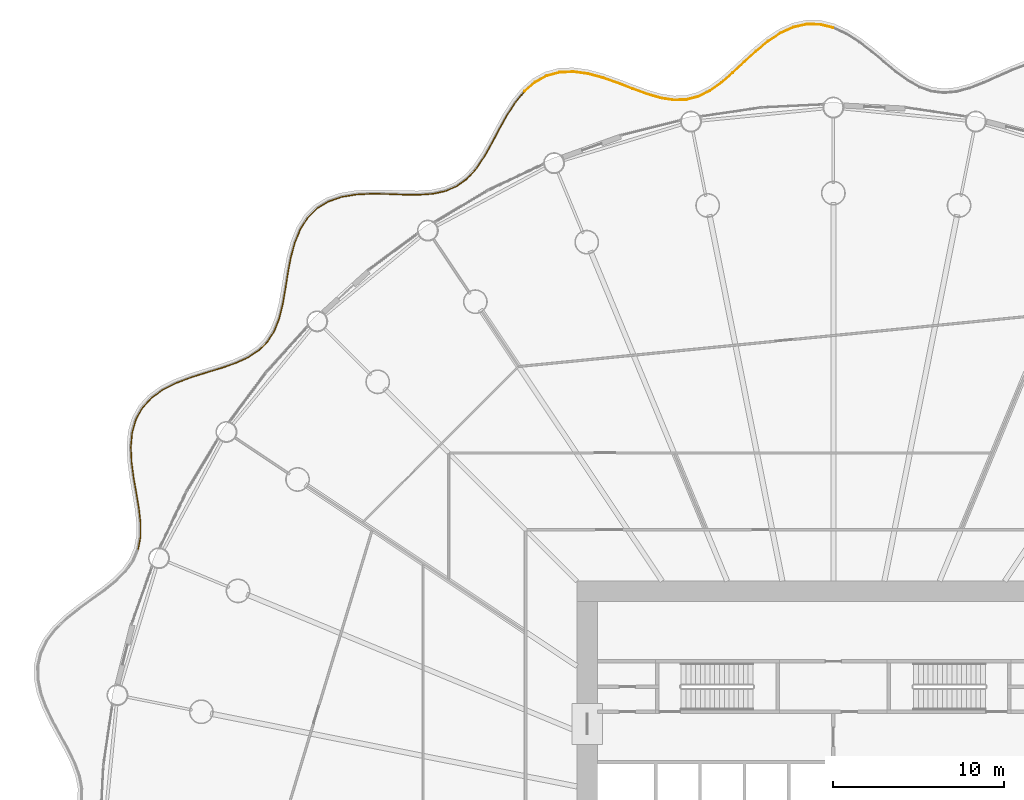
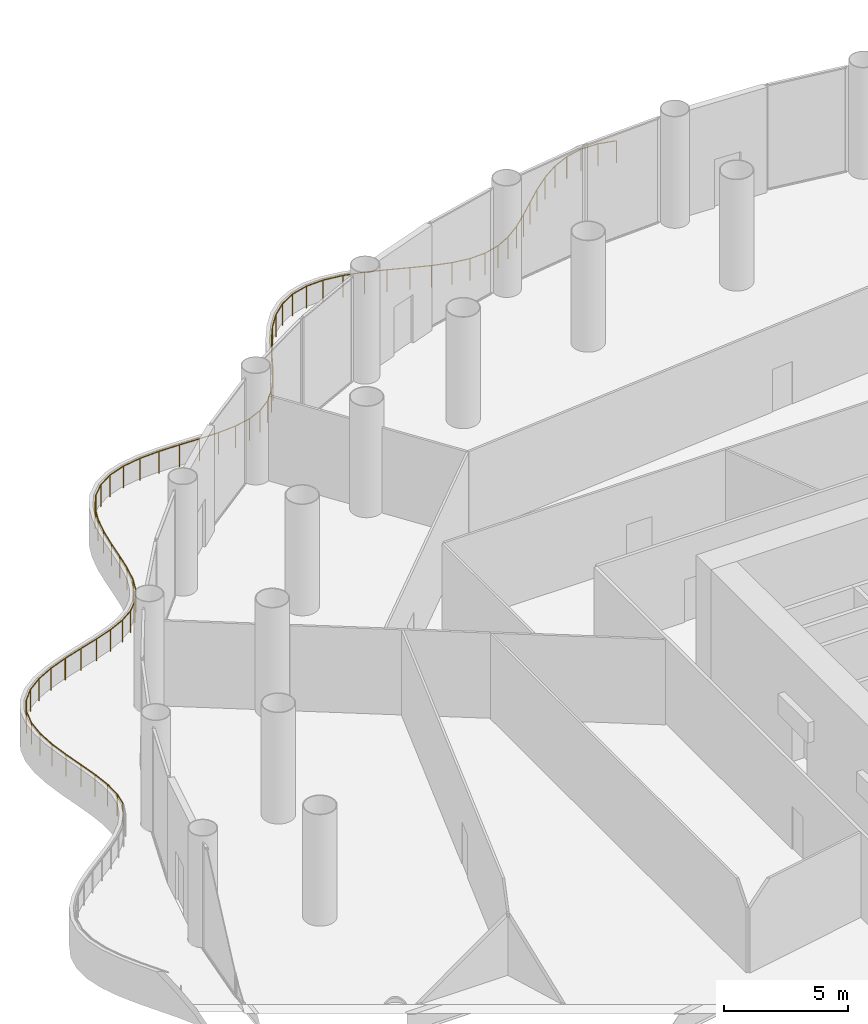
# One storey, part 36 of 37: 3 railings.
"""IFC4 building model written with IfcOpenShell, lengths in metres."""

from ifc_helpers import new_model, si_unit, direction, frame, origin, origin_2d, place, context, subcontext, project, spatial, circle, extrude, material, type_object, element, save


model = new_model("IFC4")

# Units and contexts
model_context = context("Model", 3, precision=1e-05, world=origin(), true_north=direction((0.0, 1.0)))
body_context = subcontext(model_context, "Body", "Model", "MODEL_VIEW")
ifc_project = project(units=[si_unit("LENGTHUNIT", "METRE"), si_unit("AREAUNIT", "SQUARE_METRE"), si_unit("VOLUMEUNIT", "CUBIC_METRE"), si_unit("PLANEANGLEUNIT", "RADIAN"), si_unit("MASSUNIT", "GRAM", prefix="KILO")], contexts=[model_context])

# Site, building, storey
site_placement = place(None, origin())
site = spatial("IfcSite", under=ifc_project, at=site_placement, CompositionType="ELEMENT")
building_placement = place(site_placement, origin())
building = spatial("IfcBuilding", under=site, at=building_placement, Name="Corvane Civic Tower", CompositionType="ELEMENT")
storey_placement = place(building_placement, frame((0.0, 0.0, 11.5)))
storey = spatial("IfcBuildingStorey", under=building, at=storey_placement, Name="L02", CompositionType="ELEMENT", Elevation=11.5)

# Railings
ifc_material = material(Name="Steel ASTM A572 Gr 50", Category="steel")
railing_type = type_object("IfcRailingType", Name="PODIUM-RL-GUARD-1100", PredefinedType="GUARDRAIL", material=ifc_material)
railing_1_placement = place(storey_placement, frame((-0.0244140625, 47.375, 0.0)))
element("IfcRailing", 1, at=railing_1_placement, inside=storey, type_object=railing_type, Name="L02 ribbon guard 1", PredefinedType="GUARDRAIL", context=body_context, shape_type="SweptSolid", body=[
    extrude(circle(Radius=0.02392578125, at=origin_2d()), frame((0.0, 0.0, 1.076171875), z_axis=(-0.970290184858, 0.241944119929, 0.0), x_axis=(-0.241944119929, -0.970290184858, 0.0)), (0.0, 0.0, 1.0), 0.777099609375),
    extrude(circle(Radius=0.02392578125, at=origin_2d()), frame((-0.75390625, 0.18798828125, 1.076171875), z_axis=(-0.999862095547, 0.016606922928, 0.0), x_axis=(-0.016606922928, -0.999862095547, 0.0)), (0.0, 0.0, 1.0), 0.779052734375),
    extrude(circle(Radius=0.02392578125, at=origin_2d()), frame((-1.532958984375, 0.200927734375, 1.076171875), z_axis=(-0.976136155054, -0.217159404115, 0.0), x_axis=(0.217159404115, -0.976136155054, 0.0)), (0.0, 0.0, 1.0), 0.790283203125),
    extrude(circle(Radius=0.02392578125, at=origin_2d()), frame((-2.304443359375, 0.029296875, 1.076171875), z_axis=(-0.91106055663, -0.412272558088, 0.0), x_axis=(0.412272558088, -0.91106055663, 0.0)), (0.0, 0.0, 1.0), 0.82958984375),
    extrude(circle(Radius=0.02392578125, at=origin_2d()), frame((-3.060302734375, -0.312744140625, 1.076171875), z_axis=(-0.835494240479, -0.549499203027, 0.0), x_axis=(0.549499203027, -0.835494240479, 0.0)), (0.0, 0.0, 1.0), 0.879150390625),
    extrude(circle(Radius=0.02392578125, at=origin_2d()), frame((-3.794921875, -0.7958984375, 1.076171875), z_axis=(-0.77324695858, -0.634104992132, 0.0), x_axis=(0.634104992132, -0.77324695858, 0.0)), (0.0, 0.0, 1.0), 0.91943359375),
    extrude(circle(Radius=0.02392578125, at=origin_2d()), frame((-4.505859375, -1.37890625, 1.076171875), z_axis=(-0.736503334058, -0.676433913195, 0.0), x_axis=(0.676433913195, -0.736503334058, 0.0)), (0.0, 0.0, 1.0), 0.934814453125),
    extrude(circle(Radius=0.02392578125, at=origin_2d()), frame((-5.1943359375, -2.01123046875, 1.076171875), z_axis=(-0.729578615129, -0.68389695448, 0.0), x_axis=(0.68389695448, -0.729578615129, 0.0)), (0.0, 0.0, 1.0), 0.919189453125),
    extrude(circle(Radius=0.02392578125, at=origin_2d()), frame((-5.864990234375, -2.639892578125, 1.076171875), z_axis=(-0.755937620753, -0.654643653853, 0.0), x_axis=(0.654643653853, -0.755937620753, 0.0)), (0.0, 0.0, 1.0), 0.875),
    extrude(circle(Radius=0.02392578125, at=origin_2d()), frame((-6.5263671875, -3.212646484375, 1.076171875), z_axis=(-0.814138797506, -0.580670318162, 0.0), x_axis=(0.580670318162, -0.814138797506, 0.0)), (0.0, 0.0, 1.0), 0.8134765625),
    extrude(circle(Radius=0.02392578125, at=origin_2d()), frame((-7.188720703125, -3.68505859375, 1.076171875), z_axis=(-0.894233059846, -0.447601647315, 0.0), x_axis=(0.447601647315, -0.894233059846, 0.0)), (0.0, 0.0, 1.0), 0.7548828125),
    extrude(circle(Radius=0.02392578125, at=origin_2d()), frame((-7.86376953125, -4.02294921875, 1.076171875), z_axis=(-0.967065779781, -0.254526575384, 0.0), x_axis=(0.254526575384, -0.967065779781, 0.0)), (0.0, 0.0, 1.0), 0.72216796875),
    extrude(circle(Radius=0.02392578125, at=origin_2d()), frame((-8.562255859375, -4.206787109375, 1.076171875), z_axis=(-0.999313461415, -0.037048695463, 0.0), x_axis=(0.037048695463, -0.999313461415, 0.0)), (0.0, 0.0, 1.0), 0.7314453125),
    extrude(circle(Radius=0.02392578125, at=origin_2d()), frame((-9.293212890625, -4.23388671875, 1.076171875), z_axis=(-0.988581250341, 0.150688790144, 0.0), x_axis=(-0.150688790144, -0.988581250341, 0.0)), (0.0, 0.0, 1.0), 0.777587890625),
    extrude(circle(Radius=0.02392578125, at=origin_2d()), frame((-10.06201171875, -4.11669921875, 1.076171875), z_axis=(-0.96089647184, 0.2769078735, 0.0), x_axis=(-0.2769078735, -0.96089647184, 0.0)), (0.0, 0.0, 1.0), 0.84033203125),
    extrude(circle(Radius=0.02392578125, at=origin_2d()), frame((-10.869384765625, -3.884033203125, 1.076171875), z_axis=(-0.939107851314, 0.343622530693, 0.0), x_axis=(-0.343622530693, -0.939107851314, 0.0)), (0.0, 0.0, 1.0), 0.896728515625),
    extrude(circle(Radius=0.02392578125, at=origin_2d()), frame((-11.71142578125, -3.575927734375, 1.076171875), z_axis=(-0.932864318384, 0.360227932683, 0.0), x_axis=(-0.360227932683, -0.932864318384, 0.0)), (0.0, 0.0, 1.0), 0.929931640625),
    extrude(circle(Radius=0.02392578125, at=origin_2d()), frame((-12.578857421875, -3.240966796875, 1.076171875), z_axis=(-0.943009681152, 0.332765294544, 0.0), x_axis=(-0.332765294544, -0.943009681152, 0.0)), (0.0, 0.0, 1.0), 0.931884765625),
    extrude(circle(Radius=0.02392578125, at=origin_2d()), frame((-13.45751953125, -2.930908203125, 1.076171875), z_axis=(-0.965587098839, 0.26007990033, 0.0), x_axis=(-0.26007990033, -0.965587098839, 0.0)), (0.0, 0.0, 1.0), 0.905029296875),
    extrude(circle(Radius=0.02392578125, at=origin_2d()), frame((-14.331298828125, -2.695556640625, 1.076171875), z_axis=(-0.990719089556, 0.135925294147, 0.0), x_axis=(-0.135925294147, -0.990719089556, 0.0)), (0.0, 0.0, 1.0), 0.858642578125),
    extrude(circle(Radius=0.02392578125, at=origin_2d()), frame((-15.181884765625, -2.578857421875, 1.076171875), z_axis=(-0.99909774518, -0.042469937314, 0.0), x_axis=(0.042469937314, -0.99909774518, 0.0)), (0.0, 0.0, 1.0), 0.810546875),
    extrude(circle(Radius=0.02392578125, at=origin_2d()), frame((-15.99169921875, -2.61328125, 1.076171875), z_axis=(-0.9652739935, -0.261239578688, 0.0), x_axis=(0.261239578688, -0.9652739935, 0.0)), (0.0, 0.0, 1.0), 0.78125),
    extrude(circle(Radius=0.02392578125, at=origin_2d()), frame((-16.745849609375, -2.8173828125, 1.076171875), z_axis=(-0.876871606406, -0.480724646632, 0.0), x_axis=(0.480724646632, -0.876871606406, 0.0)), (0.0, 0.0, 1.0), 0.78515625),
    extrude(circle(Radius=0.02392578125, at=origin_2d()), frame((-17.434326171875, -3.19482421875, 1.076171875), z_axis=(-0.754552606339, -0.656239563168, 0.0), x_axis=(0.656239563168, -0.754552606339, 0.0)), (0.0, 0.0, 1.0), 0.794677734375),
    extrude(circle(Radius=0.02099609375, at=origin_2d()), origin(), (0.0, 0.0, 1.0), 1.052001953125),
    extrude(circle(Radius=0.02099609375, at=origin_2d()), frame((-0.75390625, 0.18798828125, 0.0)), (0.0, 0.0, 1.0), 1.052001953125),
    extrude(circle(Radius=0.02099609375, at=origin_2d()), frame((-1.532958984375, 0.200927734375, 0.0)), (0.0, 0.0, 1.0), 1.052001953125),
    extrude(circle(Radius=0.02099609375, at=origin_2d()), frame((-2.304443359375, 0.029296875, 0.0)), (0.0, 0.0, 1.0), 1.052001953125),
    extrude(circle(Radius=0.02099609375, at=origin_2d()), frame((-3.060302734375, -0.312744140625, 0.0)), (0.0, 0.0, 1.0), 1.052001953125),
    extrude(circle(Radius=0.02099609375, at=origin_2d()), frame((-3.794921875, -0.7958984375, 0.0)), (0.0, 0.0, 1.0), 1.052001953125),
    extrude(circle(Radius=0.02099609375, at=origin_2d()), frame((-4.505859375, -1.37890625, 0.0)), (0.0, 0.0, 1.0), 1.052001953125),
    extrude(circle(Radius=0.02099609375, at=origin_2d()), frame((-5.1943359375, -2.01123046875, 0.0)), (0.0, 0.0, 1.0), 1.052001953125),
    extrude(circle(Radius=0.02099609375, at=origin_2d()), frame((-5.864990234375, -2.639892578125, 0.0)), (0.0, 0.0, 1.0), 1.052001953125),
    extrude(circle(Radius=0.02099609375, at=origin_2d()), frame((-6.5263671875, -3.212646484375, 0.0)), (0.0, 0.0, 1.0), 1.052001953125),
    extrude(circle(Radius=0.02099609375, at=origin_2d()), frame((-7.188720703125, -3.68505859375, 0.0)), (0.0, 0.0, 1.0), 1.052001953125),
    extrude(circle(Radius=0.02099609375, at=origin_2d()), frame((-7.86376953125, -4.02294921875, 0.0)), (0.0, 0.0, 1.0), 1.052001953125),
    extrude(circle(Radius=0.02099609375, at=origin_2d()), frame((-8.562255859375, -4.206787109375, 0.0)), (0.0, 0.0, 1.0), 1.052001953125),
    extrude(circle(Radius=0.02099609375, at=origin_2d()), frame((-9.293212890625, -4.23388671875, 0.0)), (0.0, 0.0, 1.0), 1.052001953125),
    extrude(circle(Radius=0.02099609375, at=origin_2d()), frame((-10.06201171875, -4.11669921875, 0.0)), (0.0, 0.0, 1.0), 1.052001953125),
    extrude(circle(Radius=0.02099609375, at=origin_2d()), frame((-10.869384765625, -3.884033203125, 0.0)), (0.0, 0.0, 1.0), 1.052001953125),
    extrude(circle(Radius=0.02099609375, at=origin_2d()), frame((-11.71142578125, -3.575927734375, 0.0)), (0.0, 0.0, 1.0), 1.052001953125),
    extrude(circle(Radius=0.02099609375, at=origin_2d()), frame((-12.578857421875, -3.240966796875, 0.0)), (0.0, 0.0, 1.0), 1.052001953125),
    extrude(circle(Radius=0.02099609375, at=origin_2d()), frame((-13.45751953125, -2.930908203125, 0.0)), (0.0, 0.0, 1.0), 1.052001953125),
    extrude(circle(Radius=0.02099609375, at=origin_2d()), frame((-14.331298828125, -2.695556640625, 0.0)), (0.0, 0.0, 1.0), 1.052001953125),
    extrude(circle(Radius=0.02099609375, at=origin_2d()), frame((-15.181884765625, -2.578857421875, 0.0)), (0.0, 0.0, 1.0), 1.052001953125),
    extrude(circle(Radius=0.02099609375, at=origin_2d()), frame((-15.99169921875, -2.61328125, 0.0)), (0.0, 0.0, 1.0), 1.052001953125),
    extrude(circle(Radius=0.02099609375, at=origin_2d()), frame((-16.745849609375, -2.8173828125, 0.0)), (0.0, 0.0, 1.0), 1.052001953125),
    extrude(circle(Radius=0.02099609375, at=origin_2d()), frame((-17.434326171875, -3.19482421875, 0.0)), (0.0, 0.0, 1.0), 1.052001953125),
    extrude(circle(Radius=0.02099609375, at=origin_2d()), frame((-18.033935546875, -3.71630859375, 0.0)), (0.0, 0.0, 1.0), 1.052001953125),
])
railing_2_placement = place(storey_placement, frame((-18.093017578125, 43.623046875, 0.0)))
element("IfcRailing", 2, at=railing_2_placement, inside=storey, type_object=railing_type, Name="L02 ribbon guard 2", PredefinedType="GUARDRAIL", context=body_context, shape_type="SweptSolid", body=[
    extrude(circle(Radius=0.02392578125, at=origin_2d()), frame((0.0, 0.0, 1.076171875), z_axis=(-0.634134915588, -0.773222418733, 0.0), x_axis=(0.773222418733, -0.634134915588, 0.0)), (0.0, 0.0, 1.0), 0.84423828125),
    extrude(circle(Radius=0.02392578125, at=origin_2d()), frame((-0.535400390625, -0.65283203125, 1.076171875), z_axis=(-0.540730545669, -0.841195861248, 0.0), x_axis=(0.841195861248, -0.540730545669, 0.0)), (0.0, 0.0, 1.0), 0.91259765625),
    extrude(circle(Radius=0.02392578125, at=origin_2d()), frame((-1.02880859375, -1.42041015625, 1.076171875), z_axis=(-0.483733525846, -0.875215331203, 0.0), x_axis=(0.875215331203, -0.483733525846, 0.0)), (0.0, 0.0, 1.0), 0.93408203125),
    extrude(circle(Radius=0.02392578125, at=origin_2d()), frame((-1.480712890625, -2.238037109375, 1.076171875), z_axis=(-0.466638195595, -0.884448299457, 0.0), x_axis=(0.884448299457, -0.466638195595, 0.0)), (0.0, 0.0, 1.0), 0.925048828125),
    extrude(circle(Radius=0.02392578125, at=origin_2d()), frame((-1.912353515625, -3.05615234375, 1.076171875), z_axis=(-0.491385477891, -0.87094219792, 0.0), x_axis=(0.87094219792, -0.491385477891, 0.0)), (0.0, 0.0, 1.0), 0.886474609375),
    extrude(circle(Radius=0.02392578125, at=origin_2d()), frame((-2.347900390625, -3.828125, 1.076171875), z_axis=(-0.561154876158, -0.827710822065, 0.0), x_axis=(0.827710822065, -0.561154876158, 0.0)), (0.0, 0.0, 1.0), 0.8271484375),
    extrude(circle(Radius=0.02392578125, at=origin_2d()), frame((-2.81201171875, -4.5126953125, 1.076171875), z_axis=(-0.673164679365, -0.739492606086, 0.0), x_axis=(0.739492606086, -0.673164679365, 0.0)), (0.0, 0.0, 1.0), 0.765625),
    extrude(circle(Radius=0.02392578125, at=origin_2d()), frame((-3.327392578125, -5.078857421875, 1.076171875), z_axis=(-0.8052164335, -0.592981024336, 0.0), x_axis=(0.592981024336, -0.8052164335, 0.0)), (0.0, 0.0, 1.0), 0.725830078125),
    extrude(circle(Radius=0.02392578125, at=origin_2d()), frame((-3.911865234375, -5.50927734375, 1.076171875), z_axis=(-0.916126457216, -0.400889404186, 0.0), x_axis=(0.400889404186, -0.916126457216, 0.0)), (0.0, 0.0, 1.0), 0.725830078125),
    extrude(circle(Radius=0.02392578125, at=origin_2d()), frame((-4.576904296875, -5.80029296875, 1.076171875), z_axis=(-0.97699765227, -0.213250058522, 0.0), x_axis=(0.213250058522, -0.97699765227, 0.0)), (0.0, 0.0, 1.0), 0.765869140625),
    extrude(circle(Radius=0.02392578125, at=origin_2d()), frame((-5.3251953125, -5.963623046875, 1.076171875), z_axis=(-0.997401426671, -0.072044389612, 0.0), x_axis=(0.072044389612, -0.997401426671, 0.0)), (0.0, 0.0, 1.0), 0.826904296875),
    extrude(circle(Radius=0.02392578125, at=origin_2d()), frame((-6.14990234375, -6.023193359375, 1.076171875), z_axis=(-0.999950826658, 0.009916867702, 0.0), x_axis=(-0.009916867702, -0.999950826658, 0.0)), (0.0, 0.0, 1.0), 0.88623046875),
    extrude(circle(Radius=0.02392578125, at=origin_2d()), frame((-7.0361328125, -6.014404296875, 1.076171875), z_axis=(-0.999277839493, 0.037997361734, 0.0), x_axis=(-0.037997361734, -0.999277839493, 0.0)), (0.0, 0.0, 1.0), 0.92529296875),
    extrude(circle(Radius=0.02392578125, at=origin_2d()), frame((-7.960693359375, -5.979248046875, 1.076171875), z_axis=(-0.999827768885, 0.018558894534, 0.0), x_axis=(-0.018558894534, -0.999827768885, 0.0)), (0.0, 0.0, 1.0), 0.93408203125),
    extrude(circle(Radius=0.02392578125, at=origin_2d()), frame((-8.89453125, -5.9619140625, 1.076171875), z_axis=(-0.998865715566, -0.047615987512, 0.0), x_axis=(0.047615987512, -0.998865715566, 0.0)), (0.0, 0.0, 1.0), 0.91259765625),
    extrude(circle(Radius=0.02392578125, at=origin_2d()), frame((-9.80615234375, -6.00537109375, 1.076171875), z_axis=(-0.986725999475, -0.16239397144, 0.0), x_axis=(0.16239397144, -0.986725999475, 0.0)), (0.0, 0.0, 1.0), 0.868896484375),
    extrude(circle(Radius=0.02392578125, at=origin_2d()), frame((-10.66357421875, -6.146484375, 1.076171875), z_axis=(-0.945632221088, -0.32523791667, 0.0), x_axis=(0.32523791667, -0.945632221088, 0.0)), (0.0, 0.0, 1.0), 0.81982421875),
    extrude(circle(Radius=0.02392578125, at=origin_2d()), frame((-11.438720703125, -6.4130859375, 1.076171875), z_axis=(-0.854654494149, -0.519197164506, 0.0), x_axis=(0.519197164506, -0.854654494149, 0.0)), (0.0, 0.0, 1.0), 0.785400390625),
    extrude(circle(Radius=0.02392578125, at=origin_2d()), frame((-12.10986328125, -6.82080078125, 1.076171875), z_axis=(-0.708979075242, -0.705229516448, 0.0), x_axis=(0.705229516448, -0.708979075242, 0.0)), (0.0, 0.0, 1.0), 0.78125),
    extrude(circle(Radius=0.02392578125, at=origin_2d()), frame((-12.663818359375, -7.371826171875, 1.076171875), z_axis=(-0.536212591881, -0.844082967669, 0.0), x_axis=(0.844082967669, -0.536212591881, 0.0)), (0.0, 0.0, 1.0), 0.810546875),
    extrude(circle(Radius=0.02392578125, at=origin_2d()), frame((-13.098388671875, -8.055908203125, 1.076171875), z_axis=(-0.377558768502, -0.925985624255, 0.0), x_axis=(0.925985624255, -0.377558768502, 0.0)), (0.0, 0.0, 1.0), 0.858642578125),
    extrude(circle(Radius=0.02392578125, at=origin_2d()), frame((-13.422607421875, -8.85107421875, 1.076171875), z_axis=(-0.257746640802, -0.966212538293, 0.0), x_axis=(0.966212538293, -0.257746640802, 0.0)), (0.0, 0.0, 1.0), 0.904541015625),
    extrude(circle(Radius=0.02392578125, at=origin_2d()), frame((-13.65576171875, -9.72509765625, 1.076171875), z_axis=(-0.183355365937, -0.983046697661, 0.0), x_axis=(0.983046697661, -0.183355365937, 0.0)), (0.0, 0.0, 1.0), 0.93212890625),
    extrude(circle(Radius=0.02392578125, at=origin_2d()), frame((-13.82666015625, -10.641357421875, 1.076171875), z_axis=(-0.154368647658, -0.988013320062, 0.0), x_axis=(0.988013320062, -0.154368647658, 0.0)), (0.0, 0.0, 1.0), 0.904541015625),
    extrude(circle(Radius=0.02099609375, at=origin_2d()), origin(), (0.0, 0.0, 1.0), 1.052001953125),
    extrude(circle(Radius=0.02099609375, at=origin_2d()), frame((-0.535400390625, -0.65283203125, 0.0)), (0.0, 0.0, 1.0), 1.052001953125),
    extrude(circle(Radius=0.02099609375, at=origin_2d()), frame((-1.02880859375, -1.42041015625, 0.0)), (0.0, 0.0, 1.0), 1.052001953125),
    extrude(circle(Radius=0.02099609375, at=origin_2d()), frame((-1.480712890625, -2.238037109375, 0.0)), (0.0, 0.0, 1.0), 1.052001953125),
    extrude(circle(Radius=0.02099609375, at=origin_2d()), frame((-1.912353515625, -3.05615234375, 0.0)), (0.0, 0.0, 1.0), 1.052001953125),
    extrude(circle(Radius=0.02099609375, at=origin_2d()), frame((-2.347900390625, -3.828125, 0.0)), (0.0, 0.0, 1.0), 1.052001953125),
    extrude(circle(Radius=0.02099609375, at=origin_2d()), frame((-2.81201171875, -4.5126953125, 0.0)), (0.0, 0.0, 1.0), 1.052001953125),
    extrude(circle(Radius=0.02099609375, at=origin_2d()), frame((-3.327392578125, -5.078857421875, 0.0)), (0.0, 0.0, 1.0), 1.052001953125),
    extrude(circle(Radius=0.02099609375, at=origin_2d()), frame((-3.911865234375, -5.50927734375, 0.0)), (0.0, 0.0, 1.0), 1.052001953125),
    extrude(circle(Radius=0.02099609375, at=origin_2d()), frame((-4.576904296875, -5.80029296875, 0.0)), (0.0, 0.0, 1.0), 1.052001953125),
    extrude(circle(Radius=0.02099609375, at=origin_2d()), frame((-5.3251953125, -5.963623046875, 0.0)), (0.0, 0.0, 1.0), 1.052001953125),
    extrude(circle(Radius=0.02099609375, at=origin_2d()), frame((-6.14990234375, -6.023193359375, 0.0)), (0.0, 0.0, 1.0), 1.052001953125),
    extrude(circle(Radius=0.02099609375, at=origin_2d()), frame((-7.0361328125, -6.014404296875, 0.0)), (0.0, 0.0, 1.0), 1.052001953125),
    extrude(circle(Radius=0.02099609375, at=origin_2d()), frame((-7.960693359375, -5.979248046875, 0.0)), (0.0, 0.0, 1.0), 1.052001953125),
    extrude(circle(Radius=0.02099609375, at=origin_2d()), frame((-8.89453125, -5.9619140625, 0.0)), (0.0, 0.0, 1.0), 1.052001953125),
    extrude(circle(Radius=0.02099609375, at=origin_2d()), frame((-9.80615234375, -6.00537109375, 0.0)), (0.0, 0.0, 1.0), 1.052001953125),
    extrude(circle(Radius=0.02099609375, at=origin_2d()), frame((-10.66357421875, -6.146484375, 0.0)), (0.0, 0.0, 1.0), 1.052001953125),
    extrude(circle(Radius=0.02099609375, at=origin_2d()), frame((-11.438720703125, -6.4130859375, 0.0)), (0.0, 0.0, 1.0), 1.052001953125),
    extrude(circle(Radius=0.02099609375, at=origin_2d()), frame((-12.10986328125, -6.82080078125, 0.0)), (0.0, 0.0, 1.0), 1.052001953125),
    extrude(circle(Radius=0.02099609375, at=origin_2d()), frame((-12.663818359375, -7.371826171875, 0.0)), (0.0, 0.0, 1.0), 1.052001953125),
    extrude(circle(Radius=0.02099609375, at=origin_2d()), frame((-13.098388671875, -8.055908203125, 0.0)), (0.0, 0.0, 1.0), 1.052001953125),
    extrude(circle(Radius=0.02099609375, at=origin_2d()), frame((-13.422607421875, -8.85107421875, 0.0)), (0.0, 0.0, 1.0), 1.052001953125),
    extrude(circle(Radius=0.02099609375, at=origin_2d()), frame((-13.65576171875, -9.72509765625, 0.0)), (0.0, 0.0, 1.0), 1.052001953125),
    extrude(circle(Radius=0.02099609375, at=origin_2d()), frame((-13.82666015625, -10.641357421875, 0.0)), (0.0, 0.0, 1.0), 1.052001953125),
    extrude(circle(Radius=0.02099609375, at=origin_2d()), frame((-13.96630859375, -11.53515625, 0.0)), (0.0, 0.0, 1.0), 1.052001953125),
])
railing_3_placement = place(storey_placement, frame((-32.0673828125, 32.03857421875, 0.0)))
element("IfcRailing", 3, at=railing_3_placement, inside=storey, type_object=railing_type, Name="L02 ribbon guard 3", PredefinedType="GUARDRAIL", context=body_context, shape_type="SweptSolid", body=[
    extrude(circle(Radius=0.02392578125, at=origin_2d()), frame((0.0, 0.0, 1.076171875), z_axis=(-0.17197945119, -0.985100537188, 0.0), x_axis=(0.985100537188, -0.17197945119, 0.0)), (0.0, 0.0, 1.0), 0.87158203125),
    extrude(circle(Radius=0.02392578125, at=origin_2d()), frame((-0.14990234375, -0.858642578125, 1.076171875), z_axis=(-0.240552729044, -0.970636072145, 0.0), x_axis=(0.970636072145, -0.240552729044, 0.0)), (0.0, 0.0, 1.0), 0.84033203125),
    extrude(circle(Radius=0.02392578125, at=origin_2d()), frame((-0.35205078125, -1.67431640625, 1.076171875), z_axis=(-0.364127112488, -0.931349260993, 0.0), x_axis=(0.931349260993, -0.364127112488, 0.0)), (0.0, 0.0, 1.0), 0.77783203125),
    extrude(circle(Radius=0.02392578125, at=origin_2d()), frame((-0.63525390625, -2.398681640625, 1.076171875), z_axis=(-0.531378363688, -0.847134602412, 0.0), x_axis=(0.847134602412, -0.531378363688, 0.0)), (0.0, 0.0, 1.0), 0.7314453125),
    extrude(circle(Radius=0.02392578125, at=origin_2d()), frame((-1.02392578125, -3.018310546875, 1.076171875), z_axis=(-0.704058219448, -0.710142255909, 0.0), x_axis=(0.710142255909, -0.704058219448, 0.0)), (0.0, 0.0, 1.0), 0.722412109375),
    extrude(circle(Radius=0.02392578125, at=origin_2d()), frame((-1.532470703125, -3.53125, 1.076171875), z_axis=(-0.834826447592, -0.550513217281, 0.0), x_axis=(0.550513217281, -0.834826447592, 0.0)), (0.0, 0.0, 1.0), 0.7548828125),
    extrude(circle(Radius=0.02392578125, at=origin_2d()), frame((-2.16259765625, -3.94677734375, 1.076171875), z_axis=(-0.909934316687, -0.414752383134, 0.0), x_axis=(0.414752383134, -0.909934316687, 0.0)), (0.0, 0.0, 1.0), 0.8134765625),
    extrude(circle(Radius=0.02392578125, at=origin_2d()), frame((-2.90283203125, -4.2841796875, 1.076171875), z_axis=(-0.944936308827, -0.32725429296, 0.0), x_axis=(0.32725429296, -0.944936308827, 0.0)), (0.0, 0.0, 1.0), 0.875),
    extrude(circle(Radius=0.02392578125, at=origin_2d()), frame((-3.729736328125, -4.570556640625, 1.076171875), z_axis=(-0.957010999793, -0.290051626915, 0.0), x_axis=(0.290051626915, -0.957010999793, 0.0)), (0.0, 0.0, 1.0), 0.919189453125),
    extrude(circle(Radius=0.02392578125, at=origin_2d()), frame((-4.609375, -4.837158203125, 1.076171875), z_axis=(-0.954098219534, -0.299493885551, 0.0), x_axis=(0.299493885551, -0.954098219534, 0.0)), (0.0, 0.0, 1.0), 0.93505859375),
    extrude(circle(Radius=0.02392578125, at=origin_2d()), frame((-5.50146484375, -5.1171875, 1.076171875), z_axis=(-0.93572746823, -0.352723837017, 0.0), x_axis=(0.352723837017, -0.93572746823, 0.0)), (0.0, 0.0, 1.0), 0.919189453125),
    extrude(circle(Radius=0.02392578125, at=origin_2d()), frame((-6.361572265625, -5.44140625, 1.076171875), z_axis=(-0.893704177194, -0.448656710266, 0.0), x_axis=(0.448656710266, -0.893704177194, 0.0)), (0.0, 0.0, 1.0), 0.87939453125),
    extrude(circle(Radius=0.02392578125, at=origin_2d()), frame((-7.1474609375, -5.8359375, 1.076171875), z_axis=(-0.812498858808, -0.582962781347, 0.0), x_axis=(0.582962781347, -0.812498858808, 0.0)), (0.0, 0.0, 1.0), 0.82958984375),
    extrude(circle(Radius=0.02392578125, at=origin_2d()), frame((-7.821533203125, -6.319580078125, 1.076171875), z_axis=(-0.676018384359, -0.73688475626, 0.0), x_axis=(0.73688475626, -0.676018384359, 0.0)), (0.0, 0.0, 1.0), 0.790283203125),
    extrude(circle(Radius=0.02392578125, at=origin_2d()), frame((-8.355712890625, -6.90185546875, 1.076171875), z_axis=(-0.485882298795, -0.874024251218, 0.0), x_axis=(0.874024251218, -0.485882298795, 0.0)), (0.0, 0.0, 1.0), 0.779296875),
    extrude(circle(Radius=0.02392578125, at=origin_2d()), frame((-8.734375, -7.5830078125, 1.076171875), z_axis=(-0.275404329988, -0.961328484455, 0.0), x_axis=(0.961328484455, -0.275404329988, 0.0)), (0.0, 0.0, 1.0), 0.80224609375),
    extrude(circle(Radius=0.02392578125, at=origin_2d()), frame((-8.955322265625, -8.354248046875, 1.076171875), z_axis=(-0.089574843607, -0.995980093874, 0.0), x_axis=(0.995980093874, -0.089574843607, 0.0)), (0.0, 0.0, 1.0), 0.84765625),
    extrude(circle(Radius=0.02392578125, at=origin_2d()), frame((-9.03125, -9.198486328125, 1.076171875), z_axis=(0.047668682951, -0.998863202178, 0.0), x_axis=(0.998863202178, 0.047668682951, 0.0)), (0.0, 0.0, 1.0), 0.896240234375),
    extrude(circle(Radius=0.02392578125, at=origin_2d()), frame((-8.988525390625, -10.09375, 1.076171875), z_axis=(0.133834148505, -0.991003744036, 0.0), x_axis=(0.991003744036, 0.133834148505, 0.0)), (0.0, 0.0, 1.0), 0.928466796875),
    extrude(circle(Radius=0.02392578125, at=origin_2d()), frame((-8.8642578125, -11.013916015625, 1.076171875), z_axis=(0.17250097261, -0.985009347392, 0.0), x_axis=(0.985009347392, 0.17250097261, 0.0)), (0.0, 0.0, 1.0), 0.9326171875),
    extrude(circle(Radius=0.02392578125, at=origin_2d()), frame((-8.703369140625, -11.9326171875, 1.076171875), z_axis=(0.164923362683, -0.98630638467, 0.0), x_axis=(0.98630638467, 0.164923362683, 0.0)), (0.0, 0.0, 1.0), 0.906005859375),
    extrude(circle(Radius=0.02392578125, at=origin_2d()), frame((-8.553955078125, -12.826171875, 1.076171875), z_axis=(0.107007929362, -0.994258167205, 0.0), x_axis=(0.994258167205, 0.107007929362, 0.0)), (0.0, 0.0, 1.0), 0.853271484375),
    extrude(circle(Radius=0.02392578125, at=origin_2d()), frame((-8.462646484375, -13.674560546875, 1.076171875), z_axis=(-0.009576329479, -0.999954145906, 0.0), x_axis=(0.999954145906, -0.009576329479, 0.0)), (0.0, 0.0, 1.0), 0.790283203125),
    extrude(circle(Radius=0.02392578125, at=origin_2d()), frame((-8.47021484375, -14.46484375, 1.076171875), z_axis=(-0.184784369024, -0.982779088587, 0.0), x_axis=(0.982779088587, -0.184784369024, 0.0)), (0.0, 0.0, 1.0), 0.71337890625),
    extrude(circle(Radius=0.02099609375, at=origin_2d()), origin(), (0.0, 0.0, 1.0), 1.052001953125),
    extrude(circle(Radius=0.02099609375, at=origin_2d()), frame((-0.14990234375, -0.858642578125, 0.0)), (0.0, 0.0, 1.0), 1.052001953125),
    extrude(circle(Radius=0.02099609375, at=origin_2d()), frame((-0.35205078125, -1.67431640625, 0.0)), (0.0, 0.0, 1.0), 1.052001953125),
    extrude(circle(Radius=0.02099609375, at=origin_2d()), frame((-0.63525390625, -2.398681640625, 0.0)), (0.0, 0.0, 1.0), 1.052001953125),
    extrude(circle(Radius=0.02099609375, at=origin_2d()), frame((-1.02392578125, -3.018310546875, 0.0)), (0.0, 0.0, 1.0), 1.052001953125),
    extrude(circle(Radius=0.02099609375, at=origin_2d()), frame((-1.532470703125, -3.53125, 0.0)), (0.0, 0.0, 1.0), 1.052001953125),
    extrude(circle(Radius=0.02099609375, at=origin_2d()), frame((-2.16259765625, -3.94677734375, 0.0)), (0.0, 0.0, 1.0), 1.052001953125),
    extrude(circle(Radius=0.02099609375, at=origin_2d()), frame((-2.90283203125, -4.2841796875, 0.0)), (0.0, 0.0, 1.0), 1.052001953125),
    extrude(circle(Radius=0.02099609375, at=origin_2d()), frame((-3.729736328125, -4.570556640625, 0.0)), (0.0, 0.0, 1.0), 1.052001953125),
    extrude(circle(Radius=0.02099609375, at=origin_2d()), frame((-4.609375, -4.837158203125, 0.0)), (0.0, 0.0, 1.0), 1.052001953125),
    extrude(circle(Radius=0.02099609375, at=origin_2d()), frame((-5.50146484375, -5.1171875, 0.0)), (0.0, 0.0, 1.0), 1.052001953125),
    extrude(circle(Radius=0.02099609375, at=origin_2d()), frame((-6.361572265625, -5.44140625, 0.0)), (0.0, 0.0, 1.0), 1.052001953125),
    extrude(circle(Radius=0.02099609375, at=origin_2d()), frame((-7.1474609375, -5.8359375, 0.0)), (0.0, 0.0, 1.0), 1.052001953125),
    extrude(circle(Radius=0.02099609375, at=origin_2d()), frame((-7.821533203125, -6.319580078125, 0.0)), (0.0, 0.0, 1.0), 1.052001953125),
    extrude(circle(Radius=0.02099609375, at=origin_2d()), frame((-8.355712890625, -6.90185546875, 0.0)), (0.0, 0.0, 1.0), 1.052001953125),
    extrude(circle(Radius=0.02099609375, at=origin_2d()), frame((-8.734375, -7.5830078125, 0.0)), (0.0, 0.0, 1.0), 1.052001953125),
    extrude(circle(Radius=0.02099609375, at=origin_2d()), frame((-8.955322265625, -8.354248046875, 0.0)), (0.0, 0.0, 1.0), 1.052001953125),
    extrude(circle(Radius=0.02099609375, at=origin_2d()), frame((-9.03125, -9.198486328125, 0.0)), (0.0, 0.0, 1.0), 1.052001953125),
    extrude(circle(Radius=0.02099609375, at=origin_2d()), frame((-8.988525390625, -10.09375, 0.0)), (0.0, 0.0, 1.0), 1.052001953125),
    extrude(circle(Radius=0.02099609375, at=origin_2d()), frame((-8.8642578125, -11.013916015625, 0.0)), (0.0, 0.0, 1.0), 1.052001953125),
    extrude(circle(Radius=0.02099609375, at=origin_2d()), frame((-8.703369140625, -11.9326171875, 0.0)), (0.0, 0.0, 1.0), 1.052001953125),
    extrude(circle(Radius=0.02099609375, at=origin_2d()), frame((-8.553955078125, -12.826171875, 0.0)), (0.0, 0.0, 1.0), 1.052001953125),
    extrude(circle(Radius=0.02099609375, at=origin_2d()), frame((-8.462646484375, -13.674560546875, 0.0)), (0.0, 0.0, 1.0), 1.052001953125),
    extrude(circle(Radius=0.02099609375, at=origin_2d()), frame((-8.47021484375, -14.46484375, 0.0)), (0.0, 0.0, 1.0), 1.052001953125),
    extrude(circle(Radius=0.02099609375, at=origin_2d()), frame((-8.60205078125, -15.166015625, 0.0)), (0.0, 0.0, 1.0), 1.052001953125),
])

save(model, "model.ifc")
